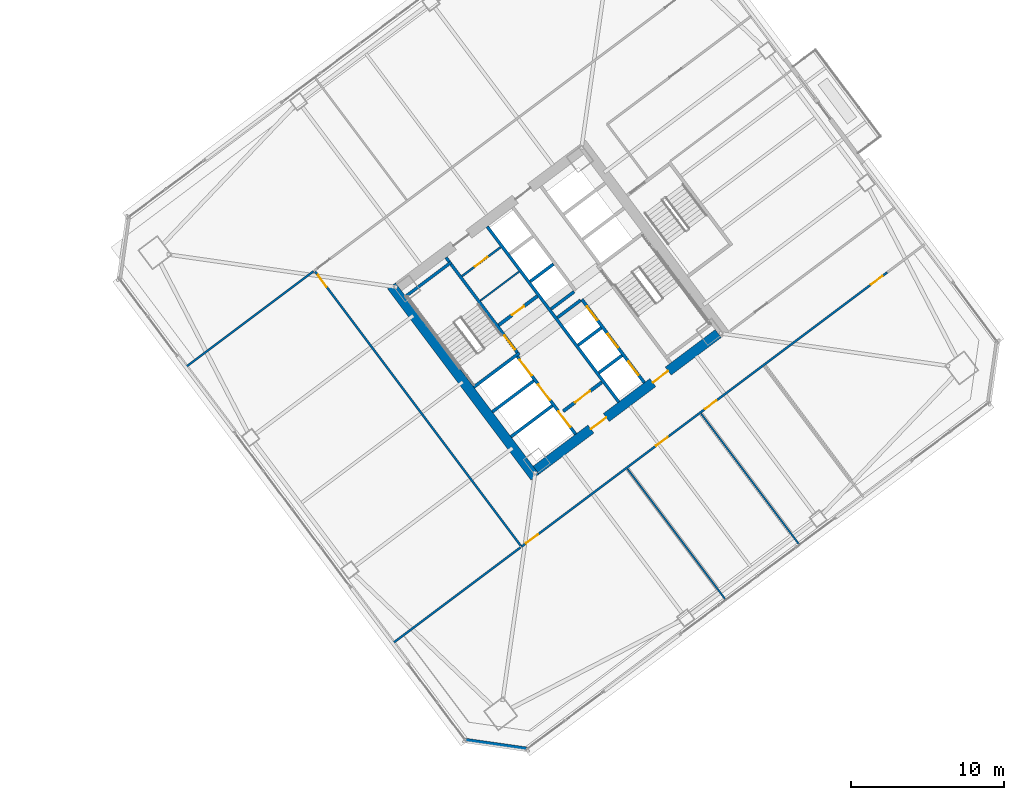
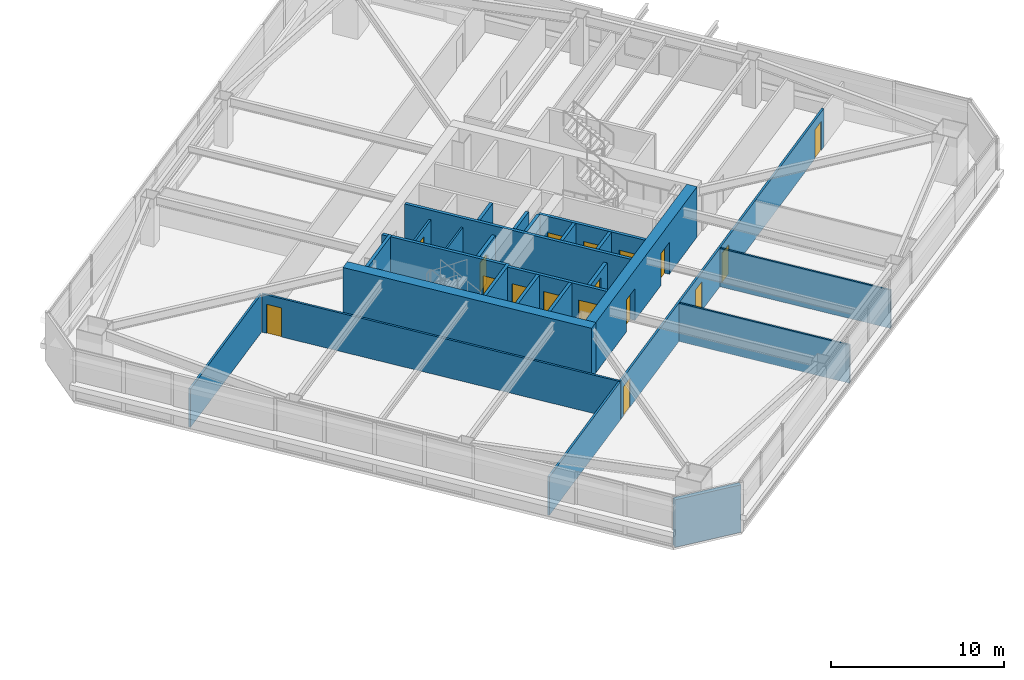
# One storey, part 37 of 47: 26 walls, 17 doors, 17 openings.
"""IFC4 building model written with IfcOpenShell, lengths in metres."""

from ifc_helpers import new_model, si_unit, direction, frame, frame_2d, origin, place, context, subcontext, project, spatial, rectangle, extrude, material, layer, layer_set, type_object, element, fill, save


model = new_model("IFC4")

# Units and contexts
model_context = context("Model", 3, precision=1e-05, world=origin(), true_north=direction((0.0, 1.0)))
body_context = subcontext(model_context, "Body", "Model", "MODEL_VIEW")
ifc_project = project(units=[si_unit("LENGTHUNIT", "METRE"), si_unit("AREAUNIT", "SQUARE_METRE"), si_unit("VOLUMEUNIT", "CUBIC_METRE"), si_unit("PLANEANGLEUNIT", "RADIAN"), si_unit("MASSUNIT", "GRAM", prefix="KILO")], contexts=[model_context])

# Site, building, storey
site_placement = place(None, origin())
site = spatial("IfcSite", under=ifc_project, at=site_placement, CompositionType="ELEMENT")
building_placement = place(site_placement, origin())
building = spatial("IfcBuilding", under=site, at=building_placement, Name="Tashvorn Skyway Center", CompositionType="ELEMENT")
storey_placement = place(building_placement, frame((0.0, 0.0, 42.35009765625)))
storey = spatial("IfcBuildingStorey", under=building, at=storey_placement, Name="L10", CompositionType="ELEMENT", Elevation=42.35009765625)

# Wall
ifc_material_1 = material(Name="Concrete C60/75", Category="concrete")
ifc_layer_1 = layer(ifc_material_1, 0.64990234375)
ifc_layer_set_1 = layer_set([ifc_layer_1], Name="Concrete C60/75")
wall_type_1 = type_object("IfcWallType", Name="WALL-CORE-650", PredefinedType="SHEAR", material=ifc_layer_set_1)
wall_1_placement = place(storey_placement, frame((112.47607421875, 21.10693359375, 0.0), z_axis=(0.0, 0.0, 1.0), x_axis=(-0.600005007985, 0.799996243986, 0.0)))
element("IfcWall", 1, at=wall_1_placement, inside=storey, type_object=wall_type_1, Name="Tower 2 L10 West Core Shear Wall", PredefinedType="SHEAR", context=body_context, shape_type="SweptSolid", body=[
    extrude(rectangle(XDim=15.60009765625, YDim=0.64990234375, at=frame_2d((7.800048828125, 0.0))), origin(), (0.0, 0.0, 1.0), 3.5498046875),
])

# Wall, openings, doors
wall_2_placement = place(storey_placement, frame((124.428955078125, 30.47802734375, 0.0), z_axis=(0.0, 0.0, 1.0), x_axis=(-0.799998028465, -0.600002628705, 0.0)))
wall_2 = element("IfcWall", 2, at=wall_2_placement, inside=storey, type_object=wall_type_1, Name="Tower 2 L10 South Core Shear Wall", PredefinedType="SHEAR", context=body_context, shape_type="SweptSolid", body=[
    extrude(rectangle(XDim=14.85986328125, YDim=0.64990234375, at=frame_2d((7.429931640625, 0.0))), origin(), (0.0, 0.0, 1.0), 3.5498046875),
])
opening_1_placement = place(wall_2_placement, frame((9.1298828125, 0.0, 0.0)))
opening_1 = element("IfcOpeningElement", 3, at=opening_1_placement, cuts=wall_2, Name="Opening D-FFL-1250", PredefinedType="OPENING", context=body_context, shape_type="SweptSolid", body=[
    extrude(rectangle(XDim=1.25, YDim=2.25, at=frame_2d((0.625, 1.125))), frame((0.0, 0.3349609375, 0.0), z_axis=(0.0, -1.0, 0.0), x_axis=(1.0, 0.0, 0.0)), (0.0, 0.0, 1.0), 0.669921875),
])
opening_2_placement = place(wall_2_placement, frame((4.080078125, 0.0, 0.0)))
opening_2 = element("IfcOpeningElement", 4, at=opening_2_placement, cuts=wall_2, Name="Opening D-FFL-1250", PredefinedType="OPENING", context=body_context, shape_type="SweptSolid", body=[
    extrude(rectangle(XDim=1.25, YDim=2.25, at=frame_2d((0.625, 1.125))), frame((0.0, 0.3349609375, 0.0), z_axis=(0.0, -1.0, 0.0), x_axis=(1.0, 0.0, 0.0)), (0.0, 0.0, 1.0), 0.669921875),
])
ifc_material_2 = material(Name="Hollow galvanized steel fire door assembly", Category="steel")
door_type_1 = type_object("IfcDoorType", Name="DOOR-FFL-1250", OperationType="NOTDEFINED", PredefinedType="DOOR", material=ifc_material_2)
door_1_placement = place(opening_1_placement, origin())
door_1 = element("IfcDoor", 5, at=door_1_placement, inside=storey, type_object=door_type_1, Name="Tower 2 L10 Core South Firefighting Exit Door", OperationType="SINGLE_SWING_LEFT", OverallHeight=2.25, OverallWidth=1.25, PredefinedType="DOOR", context=body_context, shape_type="SweptSolid", body=[
    extrude(rectangle(XDim=1.25, YDim=2.25, at=frame_2d((0.625, 1.125))), frame((0.0, 0.02490234375, 0.0), z_axis=(0.0, -1.0, 0.0), x_axis=(1.0, 0.0, 0.0)), (0.0, 0.0, 1.0), 0.050048828125),
])
fill(opening_1, door_1)
door_2_placement = place(opening_2_placement, origin())
door_2 = element("IfcDoor", 6, at=door_2_placement, inside=storey, type_object=door_type_1, Name="Tower 2 L10 Core South Lift Lobby Door", OperationType="SINGLE_SWING_RIGHT", OverallHeight=2.25, OverallWidth=1.25, PredefinedType="DOOR", context=body_context, shape_type="SweptSolid", body=[
    extrude(rectangle(XDim=1.25, YDim=2.25, at=frame_2d((0.625, 1.125))), frame((0.0, 0.02490234375, 0.0), z_axis=(0.0, -1.0, 0.0), x_axis=(1.0, 0.0, 0.0)), (0.0, 0.0, 1.0), 0.050048828125),
])
fill(opening_2, door_2)

# Wall
ifc_material_3 = material(Name="Precast concrete C40/50", Category="concrete")
ifc_layer_2 = layer(ifc_material_3, 0.280029296875)
ifc_layer_set_2 = layer_set([ifc_layer_2], Name="Precast concrete C40/50")
wall_type_2 = type_object("IfcWallType", Name="WALL-EXT-280", PredefinedType="SOLIDWALL", material=ifc_layer_set_2)
wall_3_placement = place(storey_placement, frame((111.97998046875, 3.360107421875, 0.0), z_axis=(0.0, 0.0, 1.0), x_axis=(-0.989955445613, 0.14137968631, 0.0)))
element("IfcWall", 7, at=wall_3_placement, inside=storey, type_object=wall_type_2, Name="Tower 2 L10 SW Precast Chamfer Wall", PredefinedType="SOLIDWALL", context=body_context, shape_type="SweptSolid", body=[
    extrude(rectangle(XDim=4.101318359375, YDim=0.280029296875, at=frame_2d((2.05078125, 0.0))), origin(), (0.0, 0.0, 1.0), 3.349853515625),
])

# Wall, opening, door
ifc_material_4 = material(Name="Concrete C40/50", Category="concrete")
ifc_layer_3 = layer(ifc_material_4, 0.219970703125)
ifc_layer_set_3 = layer_set([ifc_layer_3], Name="Concrete C40/50")
wall_type_3 = type_object("IfcWallType", Name="WALL-FFL-220", PredefinedType="SOLIDWALL", material=ifc_layer_set_3)
wall_4_placement = place(storey_placement, frame((110.10400390625, 31.028076171875, 0.0), z_axis=(0.0, 0.0, 1.0), x_axis=(0.800018601094, 0.59997519774, 0.0)))
wall_4 = element("IfcWall", 8, at=wall_4_placement, inside=storey, type_object=wall_type_3, Name="Tower 2 L10 Firefighting Lobby North Wall", PredefinedType="SOLIDWALL", context=body_context, shape_type="SweptSolid", body=[
    extrude(rectangle(XDim=3.14990234375, YDim=0.219970703125, at=frame_2d((1.574951171875, 0.0))), origin(), (0.0, 0.0, 1.0), 2.702880859375),
])
opening_3_placement = place(wall_4_placement, frame((1.10009765625, 0.0, 0.0)))
opening_3 = element("IfcOpeningElement", 9, at=opening_3_placement, cuts=wall_4, Name="Opening D-RT-950", PredefinedType="OPENING", context=body_context, shape_type="SweptSolid", body=[
    extrude(rectangle(XDim=0.949951171875, YDim=2.050048828125, at=frame_2d((0.47509765625, 1.02490234375))), frame((0.0, 0.119873046875, 0.0), z_axis=(0.0, -1.0, 0.0), x_axis=(1.0, 0.0, 0.0)), (0.0, 0.0, 1.0), 0.239990234375),
])
door_type_2 = type_object("IfcDoorType", Name="DOOR-RATED-950", OperationType="NOTDEFINED", PredefinedType="DOOR", material=ifc_material_2)
door_3_placement = place(opening_3_placement, origin())
door_3 = element("IfcDoor", 10, at=door_3_placement, inside=storey, type_object=door_type_2, Name="Tower 2 L10 Core Linen Store Door", OperationType="SINGLE_SWING_LEFT", OverallHeight=2.050048828125, OverallWidth=0.949951171875, PredefinedType="DOOR", context=body_context, shape_type="SweptSolid", body=[
    extrude(rectangle(XDim=0.949951171875, YDim=2.050048828125, at=frame_2d((0.47509765625, 1.02490234375))), frame((0.0, 0.02490234375, 0.0), z_axis=(0.0, -1.0, 0.0), x_axis=(1.0, 0.0, 0.0)), (0.0, 0.0, 1.0), 0.050048828125),
])
fill(opening_3, door_3)

wall_5_placement = place(storey_placement, frame((114.31591796875, 25.412109375, 0.0), z_axis=(0.0, 0.0, 1.0), x_axis=(0.800018601094, 0.59997519774, 0.0)))
wall_5 = element("IfcWall", 11, at=wall_5_placement, inside=storey, type_object=wall_type_3, Name="Tower 2 L10 Firefighting Lobby South Wall", PredefinedType="SOLIDWALL", context=body_context, shape_type="SweptSolid", body=[
    extrude(rectangle(XDim=3.14990234375, YDim=0.219970703125, at=frame_2d((1.574951171875, 0.0))), origin(), (0.0, 0.0, 1.0), 2.702880859375),
])
opening_4_placement = place(wall_5_placement, frame((0.949951171875, 0.0, 0.0)))
opening_4 = element("IfcOpeningElement", 12, at=opening_4_placement, cuts=wall_5, Name="Opening D-FFL-1250", PredefinedType="OPENING", context=body_context, shape_type="SweptSolid", body=[
    extrude(rectangle(XDim=1.25, YDim=2.25, at=frame_2d((0.625, 1.125))), frame((0.0, 0.119873046875, 0.0), z_axis=(0.0, -1.0, 0.0), x_axis=(1.0, 0.0, 0.0)), (0.0, 0.0, 1.0), 0.239990234375),
])
door_4_placement = place(opening_4_placement, origin())
door_4 = element("IfcDoor", 13, at=door_4_placement, inside=storey, type_object=door_type_1, Name="Tower 2 L10 Firefighting Lobby Egress Door", OperationType="SINGLE_SWING_LEFT", OverallHeight=2.25, OverallWidth=1.25, PredefinedType="DOOR", context=body_context, shape_type="SweptSolid", body=[
    extrude(rectangle(XDim=1.25, YDim=2.25, at=frame_2d((0.625, 1.125))), frame((0.0, 0.02490234375, 0.0), z_axis=(0.0, -1.0, 0.0), x_axis=(1.0, 0.0, 0.0)), (0.0, 0.0, 1.0), 0.050048828125),
])
fill(opening_4, door_4)

# Walls
ifc_material_5 = material(Name="Gypsum board on cold-formed steel stud framing", Category="steel")
ifc_layer_4 = layer(ifc_material_5, 0.110107421875)
ifc_layer_set_4 = layer_set([ifc_layer_4], Name="Gypsum board on cold-formed steel stud framing")
wall_type_4 = type_object("IfcWallType", Name="WALL-PART-110", PredefinedType="PARTITIONING", material=ifc_layer_set_4)
for number, where, z_axis, x_axis, name in (
    (14, (124.927978515625, 13.095947265625, 0.0), (0.0, 0.0, 1.0), (-0.599992698573, 0.800005476018, 0.0), "Tower 2 L10 South Suite Partition 1"),
    (15, (129.72802734375, 16.696044921875, 0.0), (0.0, 0.0, 1.0), (-0.599992698573, 0.800005476018, 0.0), "Tower 2 L10 South Suite Partition 2"),
):
    element("IfcWall", number, at=place(storey_placement, frame(where, z_axis=z_axis, x_axis=x_axis)), inside=storey, type_object=wall_type_4, Name=name, PredefinedType="PARTITIONING", context=body_context, shape_type="SweptSolid", body=[
        extrude(rectangle(XDim=10.699951171875, YDim=0.110107421875, at=frame_2d((5.35009765625, 0.0))), origin(), (0.0, 0.0, 1.0), 2.702880859375),
    ])

# Wall, openings, doors
ifc_layer_5 = layer(ifc_material_5, 0.135009765625)
ifc_layer_set_5 = layer_set([ifc_layer_5], Name="Gypsum board on cold-formed steel stud framing")
wall_type_5 = type_object("IfcWallType", Name="WALL-PART-135", PredefinedType="PARTITIONING", material=ifc_layer_set_5)
wall_6_placement = place(storey_placement, frame((135.4599609375, 34.469970703125, 0.0), z_axis=(0.0, 0.0, 1.0), x_axis=(-0.800000982127, -0.599998690494, 0.0)))
wall_6 = element("IfcWall", 16, at=wall_6_placement, inside=storey, type_object=wall_type_5, Name="Tower 2 L10 South Suite Wall", PredefinedType="PARTITIONING", context=body_context, shape_type="SweptSolid", body=[
    extrude(rectangle(XDim=29.830078125, YDim=0.135009765625, at=frame_2d((14.9150390625, 0.0))), origin(), (0.0, 0.0, 1.0), 2.702880859375),
])
opening_5_placement = place(wall_6_placement, frame((28.5, 0.0, 0.0)))
opening_5 = element("IfcOpeningElement", 17, at=opening_5_placement, cuts=wall_6, Name="Opening D-INT-950", PredefinedType="OPENING", context=body_context, shape_type="SweptSolid", body=[
    extrude(rectangle(XDim=0.949951171875, YDim=2.050048828125, at=frame_2d((0.47509765625, 1.02490234375))), frame((0.0, 0.077392578125, 0.0), z_axis=(0.0, -1.0, 0.0), x_axis=(1.0, 0.0, 0.0)), (0.0, 0.0, 1.0), 0.155029296875),
])
opening_6_placement = place(wall_6_placement, frame((17.901123046875, 0.0, 0.0)))
opening_6 = element("IfcOpeningElement", 18, at=opening_6_placement, cuts=wall_6, Name="Opening D-INT-950", PredefinedType="OPENING", context=body_context, shape_type="SweptSolid", body=[
    extrude(rectangle(XDim=0.949951171875, YDim=2.050048828125, at=frame_2d((0.47509765625, 1.02490234375))), frame((0.0, 0.077392578125, 0.0), z_axis=(0.0, -1.0, 0.0), x_axis=(1.0, 0.0, 0.0)), (0.0, 0.0, 1.0), 0.155029296875),
])
opening_7_placement = place(wall_6_placement, frame((13.919921875, 0.0, 0.0)))
opening_7 = element("IfcOpeningElement", 19, at=opening_7_placement, cuts=wall_6, Name="Opening D-INT-950", PredefinedType="OPENING", context=body_context, shape_type="SweptSolid", body=[
    extrude(rectangle(XDim=0.949951171875, YDim=2.050048828125, at=frame_2d((0.47509765625, 1.02490234375))), frame((0.0, 0.077392578125, 0.0), z_axis=(0.0, -1.0, 0.0), x_axis=(1.0, 0.0, 0.0)), (0.0, 0.0, 1.0), 0.155029296875),
])
opening_8_placement = place(wall_6_placement, frame((0.3798828125, 0.0, 0.0)))
opening_8 = element("IfcOpeningElement", 20, at=opening_8_placement, cuts=wall_6, Name="Opening D-INT-950", PredefinedType="OPENING", context=body_context, shape_type="SweptSolid", body=[
    extrude(rectangle(XDim=0.949951171875, YDim=2.050048828125, at=frame_2d((0.47509765625, 1.02490234375))), frame((0.0, 0.077392578125, 0.0), z_axis=(0.0, -1.0, 0.0), x_axis=(1.0, 0.0, 0.0)), (0.0, 0.0, 1.0), 0.155029296875),
])
ifc_material_6 = material(Name="Solid-core architectural oak veneer door")
door_type_3 = type_object("IfcDoorType", Name="DOOR-INT-950", OperationType="NOTDEFINED", PredefinedType="DOOR", material=ifc_material_6)
door_5_placement = place(opening_5_placement, origin())
door_5 = element("IfcDoor", 21, at=door_5_placement, inside=storey, type_object=door_type_3, Name="Tower 2 L10 Executive Study Lounge Door", OperationType="SINGLE_SWING_RIGHT", OverallHeight=2.050048828125, OverallWidth=0.949951171875, PredefinedType="DOOR", context=body_context, shape_type="SweptSolid", body=[
    extrude(rectangle(XDim=0.949951171875, YDim=2.050048828125, at=frame_2d((0.47509765625, 1.02490234375))), frame((0.0, 0.02490234375, 0.0), z_axis=(0.0, -1.0, 0.0), x_axis=(1.0, 0.0, 0.0)), (0.0, 0.0, 1.0), 0.050048828125),
])
fill(opening_5, door_5)
door_6_placement = place(opening_6_placement, origin())
door_6 = element("IfcDoor", 22, at=door_6_placement, inside=storey, type_object=door_type_3, Name="Tower 2 L10 Collaborative Studio Door", OperationType="SINGLE_SWING_LEFT", OverallHeight=2.050048828125, OverallWidth=0.949951171875, PredefinedType="DOOR", context=body_context, shape_type="SweptSolid", body=[
    extrude(rectangle(XDim=0.949951171875, YDim=2.050048828125, at=frame_2d((0.47509765625, 1.02490234375))), frame((0.0, 0.02490234375, 0.0), z_axis=(0.0, -1.0, 0.0), x_axis=(1.0, 0.0, 0.0)), (0.0, 0.0, 1.0), 0.050048828125),
])
fill(opening_6, door_6)
door_7_placement = place(opening_7_placement, origin())
door_7 = element("IfcDoor", 23, at=door_7_placement, inside=storey, type_object=door_type_3, Name="Tower 2 L10 Collaborative Studio Door", OperationType="SINGLE_SWING_RIGHT", OverallHeight=2.050048828125, OverallWidth=0.949951171875, PredefinedType="DOOR", context=body_context, shape_type="SweptSolid", body=[
    extrude(rectangle(XDim=0.949951171875, YDim=2.050048828125, at=frame_2d((0.47509765625, 1.02490234375))), frame((0.0, 0.02490234375, 0.0), z_axis=(0.0, -1.0, 0.0), x_axis=(1.0, 0.0, 0.0)), (0.0, 0.0, 1.0), 0.050048828125),
])
fill(opening_7, door_7)
door_8_placement = place(opening_8_placement, origin())
door_8 = element("IfcDoor", 24, at=door_8_placement, inside=storey, type_object=door_type_3, Name="Tower 2 L10 Reading Lounge Door", OperationType="SINGLE_SWING_LEFT", OverallHeight=2.050048828125, OverallWidth=0.949951171875, PredefinedType="DOOR", context=body_context, shape_type="SweptSolid", body=[
    extrude(rectangle(XDim=0.949951171875, YDim=2.050048828125, at=frame_2d((0.47509765625, 1.02490234375))), frame((0.0, 0.02490234375, 0.0), z_axis=(0.0, -1.0, 0.0), x_axis=(1.0, 0.0, 0.0)), (0.0, 0.0, 1.0), 0.050048828125),
])
fill(opening_8, door_8)

# Wall, opening, door
wall_7_placement = place(storey_placement, frame((111.548095703125, 16.635986328125, 0.0), z_axis=(0.0, 0.0, 1.0), x_axis=(-0.600001746983, 0.79999868976, 0.0)))
wall_7 = element("IfcWall", 25, at=wall_7_placement, inside=storey, type_object=wall_type_5, Name="Tower 2 L10 West Inner Suite Wall", PredefinedType="PARTITIONING", context=body_context, shape_type="SweptSolid", body=[
    extrude(rectangle(XDim=22.35986328125, YDim=0.135009765625, at=frame_2d((11.179931640625, 0.0))), origin(), (0.0, 0.0, 1.0), 2.702880859375),
])
opening_9_placement = place(wall_7_placement, frame((21.110107421875, 0.0, 0.0)))
opening_9 = element("IfcOpeningElement", 26, at=opening_9_placement, cuts=wall_7, Name="Opening D-INT-950", PredefinedType="OPENING", context=body_context, shape_type="SweptSolid", body=[
    extrude(rectangle(XDim=0.949951171875, YDim=2.050048828125, at=frame_2d((0.47509765625, 1.02490234375))), frame((0.0, 0.077392578125, 0.0), z_axis=(0.0, -1.0, 0.0), x_axis=(1.0, 0.0, 0.0)), (0.0, 0.0, 1.0), 0.155029296875),
])
door_9_placement = place(opening_9_placement, origin())
door_9 = element("IfcDoor", 27, at=door_9_placement, inside=storey, type_object=door_type_3, Name="Tower 2 L10 Reading Lounge Door", OperationType="SINGLE_SWING_RIGHT", OverallHeight=2.050048828125, OverallWidth=0.949951171875, PredefinedType="DOOR", context=body_context, shape_type="SweptSolid", body=[
    extrude(rectangle(XDim=0.949951171875, YDim=2.050048828125, at=frame_2d((0.47509765625, 1.02490234375))), frame((0.0, 0.02490234375, 0.0), z_axis=(0.0, -1.0, 0.0), x_axis=(1.0, 0.0, 0.0)), (0.0, 0.0, 1.0), 0.050048828125),
])
fill(opening_9, door_9)

# Walls
for number, where, z_axis, x_axis, name in (
    (28, (98.02001953125, 34.5400390625, 0.0), (0.0, 0.0, 1.0), (-0.8, -0.6, 0.0), "Tower 2 L10 West Suite North Wall"),
    (29, (103.196044921875, 10.27197265625, 0.0), (0.0, 0.0, 1.0), (0.8, 0.6, 0.0), "Tower 2 L10 West Suite South Wall"),
):
    element("IfcWall", number, at=place(storey_placement, frame(where, z_axis=z_axis, x_axis=x_axis)), inside=storey, type_object=wall_type_5, Name=name, PredefinedType="PARTITIONING", context=body_context, shape_type="SweptSolid", body=[
        extrude(rectangle(XDim=10.419921875, YDim=0.135009765625, at=frame_2d((5.2099609375, 0.0))), origin(), (0.0, 0.0, 1.0), 2.702880859375),
    ])
ifc_layer_6 = layer(ifc_material_5, 0.110107421875)
ifc_layer_set_6 = layer_set([ifc_layer_6], Name="Gypsum board on cold-formed steel stud framing")
wall_type_6 = type_object("IfcWallType", Name="WALL-RATED-110", PredefinedType="PARTITIONING", material=ifc_layer_set_6)
wall_8_placement = place(storey_placement, frame((108.909912109375, 32.6201171875, 0.0), z_axis=(0.0, 0.0, 1.0), x_axis=(0.800018601094, 0.59997519774, 0.0)))
element("IfcWall", 30, at=wall_8_placement, inside=storey, type_object=wall_type_6, Name="Tower 2 L10 Core Transverse Wall", PredefinedType="PARTITIONING", context=body_context, shape_type="SweptSolid", body=[
    extrude(rectangle(XDim=3.14990234375, YDim=0.110107421875, at=frame_2d((1.574951171875, 0.0))), origin(), (0.0, 0.0, 1.0), 2.702880859375),
])

# Wall, opening, door
ifc_layer_7 = layer(ifc_material_5, 0.135009765625)
ifc_layer_set_7 = layer_set([ifc_layer_7], Name="Gypsum board on cold-formed steel stud framing")
wall_type_7 = type_object("IfcWallType", Name="WALL-RATED-135", PredefinedType="PARTITIONING", material=ifc_layer_set_7)
wall_9_placement = place(storey_placement, frame((107.7099609375, 34.219970703125, 0.0), z_axis=(0.0, 0.0, 1.0), x_axis=(0.799981399002, 0.60002480053, 0.0)))
wall_9 = element("IfcWall", 31, at=wall_9_placement, inside=storey, type_object=wall_type_7, Name="Tower 2 L10 Core Service Lobby Wall", PredefinedType="PARTITIONING", context=body_context, shape_type="SweptSolid", body=[
    extrude(rectangle(XDim=3.150146484375, YDim=0.135009765625, at=frame_2d((1.5751953125, 0.0))), origin(), (0.0, 0.0, 1.0), 2.702880859375),
])
opening_10_placement = place(wall_9_placement, frame((1.050048828125, 0.0, 0.0)))
opening_10 = element("IfcOpeningElement", 32, at=opening_10_placement, cuts=wall_9, Name="Opening D-RT-1050", PredefinedType="OPENING", context=body_context, shape_type="SweptSolid", body=[
    extrude(rectangle(XDim=1.050048828125, YDim=2.199951171875, at=frame_2d((0.52490234375, 1.10009765625))), frame((0.0, 0.077392578125, 0.0), z_axis=(0.0, -1.0, 0.0), x_axis=(1.0, 0.0, 0.0)), (0.0, 0.0, 1.0), 0.155029296875),
])
door_type_4 = type_object("IfcDoorType", Name="DOOR-RATED-1050", OperationType="NOTDEFINED", PredefinedType="DOOR", material=ifc_material_2)
door_10_placement = place(opening_10_placement, origin())
door_10 = element("IfcDoor", 33, at=door_10_placement, inside=storey, type_object=door_type_4, Name="Tower 2 L10 Core Accessible WC Door", OperationType="SINGLE_SWING_RIGHT", OverallHeight=2.199951171875, OverallWidth=1.050048828125, PredefinedType="DOOR", context=body_context, shape_type="SweptSolid", body=[
    extrude(rectangle(XDim=1.050048828125, YDim=2.199951171875, at=frame_2d((0.52490234375, 1.10009765625))), frame((0.0, 0.02490234375, 0.0), z_axis=(0.0, -1.0, 0.0), x_axis=(1.0, 0.0, 0.0)), (0.0, 0.0, 1.0), 0.050048828125),
])
fill(opening_10, door_10)

# Walls
ifc_layer_8 = layer(ifc_material_4, 0.199951171875)
ifc_layer_set_8 = layer_set([ifc_layer_8], Name="Concrete C40/50")
wall_type_8 = type_object("IfcWallType", Name="WALL-SHAFT-200", PredefinedType="SOLIDWALL", material=ifc_layer_set_8)
for number, where, z_axis, x_axis, name in (
    (34, (110.906005859375, 23.741943359375, 0.0), (0.0, 0.0, 1.0), (0.8, 0.6, 0.0), "Tower 2 L10 FSAE Shaft Divider"),
    (35, (109.68798828125, 25.365966796875, 0.0), (0.0, 0.0, 1.0), (0.8, 0.6, 0.0), "Tower 2 L10 FSAE Shaft Divider"),
):
    element("IfcWall", number, at=place(storey_placement, frame(where, z_axis=z_axis, x_axis=x_axis)), inside=storey, type_object=wall_type_8, Name=name, PredefinedType="SOLIDWALL", context=body_context, shape_type="SweptSolid", body=[
        extrude(rectangle(XDim=3.380126953125, YDim=0.199951171875, at=frame_2d((1.68994140625, 0.0))), origin(), (0.0, 0.0, 1.0), 3.349853515625),
    ])

# Wall, openings, doors
wall_10_placement = place(storey_placement, frame((119.610107421875, 27.27001953125, 0.0), z_axis=(0.0, 0.0, 1.0), x_axis=(-0.600011488909, 0.79999138319, 0.0)))
wall_10 = element("IfcWall", 36, at=wall_10_placement, inside=storey, type_object=wall_type_8, Name="Tower 2 L10 Low-Rise Core Wall", PredefinedType="SOLIDWALL", context=body_context, shape_type="SweptSolid", body=[
    extrude(rectangle(XDim=6.800048828125, YDim=0.199951171875, at=frame_2d((3.39990234375, 0.0))), origin(), (0.0, 0.0, 1.0), 3.349853515625),
])
opening_11_placement = place(wall_10_placement, frame((0.625, 0.0, 0.0)))
opening_11 = element("IfcOpeningElement", 37, at=opening_11_placement, cuts=wall_10, Name="Opening LD-LR-T2-1-L10", PredefinedType="OPENING", context=body_context, shape_type="SweptSolid", body=[
    extrude(rectangle(XDim=1.10009765625, YDim=2.199951171875, at=frame_2d((0.550048828125, 1.10009765625))), frame((0.0, 0.10986328125, 0.0), z_axis=(0.0, -1.0, 0.0), x_axis=(1.0, 0.0, 0.0)), (0.0, 0.0, 1.0), 0.219970703125),
])
opening_12_placement = place(wall_10_placement, frame((2.875, 0.0, 0.0)))
opening_12 = element("IfcOpeningElement", 38, at=opening_12_placement, cuts=wall_10, Name="Opening LD-LR-T2-2-L10", PredefinedType="OPENING", context=body_context, shape_type="SweptSolid", body=[
    extrude(rectangle(XDim=1.10009765625, YDim=2.199951171875, at=frame_2d((0.550048828125, 1.10009765625))), frame((0.0, 0.10986328125, 0.0), z_axis=(0.0, -1.0, 0.0), x_axis=(1.0, 0.0, 0.0)), (0.0, 0.0, 1.0), 0.219970703125),
])
opening_13_placement = place(wall_10_placement, frame((5.125, 0.0, 0.0)))
opening_13 = element("IfcOpeningElement", 39, at=opening_13_placement, cuts=wall_10, Name="Opening LD-LR-T2-3-L10", PredefinedType="OPENING", context=body_context, shape_type="SweptSolid", body=[
    extrude(rectangle(XDim=1.10009765625, YDim=2.199951171875, at=frame_2d((0.550048828125, 1.10009765625))), frame((0.0, 0.10986328125, 0.0), z_axis=(0.0, -1.0, 0.0), x_axis=(1.0, 0.0, 0.0)), (0.0, 0.0, 1.0), 0.219970703125),
])
ifc_material_7 = material(Name="Stainless steel landing door", Category="steel")
door_type_5 = type_object("IfcDoorType", Name="DOOR-LIFT-1100", OperationType="SLIDING_TO_LEFT", PredefinedType="DOOR", material=ifc_material_7)
door_11_placement = place(opening_11_placement, origin())
door_11 = element("IfcDoor", 40, at=door_11_placement, inside=storey, type_object=door_type_5, Name="Lift LR-T2-1 L10 Landing Door", OperationType="SLIDING_TO_LEFT", OverallHeight=2.199951171875, OverallWidth=1.10009765625, PredefinedType="DOOR", context=body_context, shape_type="SweptSolid", body=[
    extrude(rectangle(XDim=1.10009765625, YDim=2.199951171875, at=frame_2d((0.550048828125, 1.10009765625))), frame((0.0, 0.02490234375, 0.0), z_axis=(0.0, -1.0, 0.0), x_axis=(1.0, 0.0, 0.0)), (0.0, 0.0, 1.0), 0.050048828125),
])
fill(opening_11, door_11)
door_12_placement = place(opening_12_placement, origin())
door_12 = element("IfcDoor", 41, at=door_12_placement, inside=storey, type_object=door_type_5, Name="Lift LR-T2-2 L10 Landing Door", OperationType="SLIDING_TO_LEFT", OverallHeight=2.199951171875, OverallWidth=1.10009765625, PredefinedType="DOOR", context=body_context, shape_type="SweptSolid", body=[
    extrude(rectangle(XDim=1.10009765625, YDim=2.199951171875, at=frame_2d((0.550048828125, 1.10009765625))), frame((0.0, 0.02490234375, 0.0), z_axis=(0.0, -1.0, 0.0), x_axis=(1.0, 0.0, 0.0)), (0.0, 0.0, 1.0), 0.050048828125),
])
fill(opening_12, door_12)
door_13_placement = place(opening_13_placement, origin())
door_13 = element("IfcDoor", 42, at=door_13_placement, inside=storey, type_object=door_type_5, Name="Lift LR-T2-3 L10 Landing Door", OperationType="SLIDING_TO_LEFT", OverallHeight=2.199951171875, OverallWidth=1.10009765625, PredefinedType="DOOR", context=body_context, shape_type="SweptSolid", body=[
    extrude(rectangle(XDim=1.10009765625, YDim=2.199951171875, at=frame_2d((0.550048828125, 1.10009765625))), frame((0.0, 0.02490234375, 0.0), z_axis=(0.0, -1.0, 0.0), x_axis=(1.0, 0.0, 0.0)), (0.0, 0.0, 1.0), 0.050048828125),
])
fill(opening_13, door_13)

# Walls
wall_11_placement = place(storey_placement, frame((116.64599609375, 27.922119140625, 0.0), z_axis=(0.0, 0.0, 1.0), x_axis=(0.8, 0.6, 0.0)))
element("IfcWall", 43, at=wall_11_placement, inside=storey, type_object=wall_type_8, Name="Tower 2 L10 Low-Rise Shaft Divider", PredefinedType="SOLIDWALL", context=body_context, shape_type="SweptSolid", body=[
    extrude(rectangle(XDim=1.8798828125, YDim=0.199951171875, at=frame_2d((0.93994140625, 0.0))), origin(), (0.0, 0.0, 1.0), 3.349853515625),
])
wall_12_placement = place(storey_placement, frame((115.2958984375, 29.721923828125, 0.0), z_axis=(0.0, 0.0, 1.0), x_axis=(0.799984418148, 0.600020775241, 0.0)))
element("IfcWall", 44, at=wall_12_placement, inside=storey, type_object=wall_type_8, Name="Tower 2 L10 Low-Rise Shaft Divider", PredefinedType="SOLIDWALL", context=body_context, shape_type="SweptSolid", body=[
    extrude(rectangle(XDim=1.880126953125, YDim=0.199951171875, at=frame_2d((0.93994140625, 0.0))), origin(), (0.0, 0.0, 1.0), 3.349853515625),
])
wall_13_placement = place(storey_placement, frame((113.946044921875, 31.52197265625, 0.0), z_axis=(0.0, 0.0, 1.0), x_axis=(0.8, 0.6, 0.0)))
element("IfcWall", 45, at=wall_13_placement, inside=storey, type_object=wall_type_8, Name="Tower 2 L10 Low-Rise Shaft Divider", PredefinedType="SOLIDWALL", context=body_context, shape_type="SweptSolid", body=[
    extrude(rectangle(XDim=1.8798828125, YDim=0.199951171875, at=frame_2d((0.93994140625, 0.0))), origin(), (0.0, 0.0, 1.0), 3.349853515625),
])
wall_14_placement = place(storey_placement, frame((113.52587890625, 32.08203125, 0.0), z_axis=(0.0, 0.0, 1.0), x_axis=(0.800046745961, 0.599937666993, 0.0)))
element("IfcWall", 46, at=wall_14_placement, inside=storey, type_object=wall_type_8, Name="Tower 2 L10 Mid-Rise Shaft Divider", PredefinedType="SOLIDWALL", context=body_context, shape_type="SweptSolid", body=[
    extrude(rectangle(XDim=1.880126953125, YDim=0.199951171875, at=frame_2d((0.93994140625, 0.0))), origin(), (0.0, 0.0, 1.0), 3.349853515625),
])
wall_15_placement = place(storey_placement, frame((112.176025390625, 33.882080078125, 0.0), z_axis=(0.0, 0.0, 1.0), x_axis=(0.8, 0.6, 0.0)))
element("IfcWall", 47, at=wall_15_placement, inside=storey, type_object=wall_type_8, Name="Tower 2 L10 Mid-Rise Shaft Divider", PredefinedType="SOLIDWALL", context=body_context, shape_type="SweptSolid", body=[
    extrude(rectangle(XDim=1.8798828125, YDim=0.199951171875, at=frame_2d((0.93994140625, 0.0))), origin(), (0.0, 0.0, 1.0), 3.349853515625),
])

# Wall, opening, door
ifc_layer_9 = layer(ifc_material_4, 0.199951171875)
ifc_layer_set_9 = layer_set([ifc_layer_9], Name="Concrete C40/50")
wall_type_9 = type_object("IfcWallType", Name="WALL-STSHF-200", PredefinedType="SHEAR", material=ifc_layer_set_9)
wall_16_placement = place(storey_placement, frame((111.43994140625, 29.080078125, 0.0), z_axis=(0.0, 0.0, 1.0), x_axis=(-0.600009827119, 0.799992629566, 0.0)))
wall_16 = element("IfcWall", 48, at=wall_16_placement, inside=storey, type_object=wall_type_9, Name="Tower 2 L10 Stair 1 Enclosure Wall", PredefinedType="SHEAR", context=body_context, shape_type="SweptSolid", body=[
    extrude(rectangle(XDim=7.949951171875, YDim=0.199951171875, at=frame_2d((3.97509765625, 0.0))), origin(), (0.0, 0.0, 1.0), 3.349853515625),
])
opening_14_placement = place(wall_16_placement, frame((0.449951171875, 0.0, 0.0)))
opening_14 = element("IfcOpeningElement", 49, at=opening_14_placement, cuts=wall_16, Name="Opening D-ST-1150", PredefinedType="OPENING", context=body_context, shape_type="SweptSolid", body=[
    extrude(rectangle(XDim=1.14990234375, YDim=2.199951171875, at=frame_2d((0.574951171875, 1.10009765625))), frame((0.0, 0.10986328125, 0.0), z_axis=(0.0, -1.0, 0.0), x_axis=(1.0, 0.0, 0.0)), (0.0, 0.0, 1.0), 0.219970703125),
])
door_type_6 = type_object("IfcDoorType", Name="DOOR-STAIR-1150", OperationType="NOTDEFINED", PredefinedType="DOOR", material=ifc_material_2)
door_14_placement = place(opening_14_placement, origin())
door_14 = element("IfcDoor", 50, at=door_14_placement, inside=storey, type_object=door_type_6, Name="Tower 2 L10 Exit Stair 1 Door", OperationType="SINGLE_SWING_RIGHT", OverallHeight=2.199951171875, OverallWidth=1.14990234375, PredefinedType="DOOR", context=body_context, shape_type="SweptSolid", body=[
    extrude(rectangle(XDim=1.14990234375, YDim=2.199951171875, at=frame_2d((0.574951171875, 1.10009765625))), frame((0.0, 0.02490234375, 0.0), z_axis=(0.0, -1.0, 0.0), x_axis=(1.0, 0.0, 0.0)), (0.0, 0.0, 1.0), 0.050048828125),
])
fill(opening_14, door_14)

# Walls
for number, where, z_axis, x_axis, name in (
    (51, (108.47607421875, 26.98193359375, 0.0), (0.0, 0.0, 1.0), (0.799984290658, 0.600020945218, 0.0), "Tower 2 L10 Stair 1 South Wall"),
    (52, (104.035888671875, 32.902099609375, 0.0), (0.0, 0.0, 1.0), (0.800039270442, 0.59994763584, 0.0), "Tower 2 L10 Stair 1 North Wall"),
):
    element("IfcWall", number, at=place(storey_placement, frame(where, z_axis=z_axis, x_axis=x_axis)), inside=storey, type_object=wall_type_9, Name=name, PredefinedType="SHEAR", context=body_context, shape_type="SweptSolid", body=[
        extrude(rectangle(XDim=3.72998046875, YDim=0.199951171875, at=frame_2d((1.864990234375, 0.0))), origin(), (0.0, 0.0, 1.0), 3.349853515625),
    ])
wall_17_placement = place(storey_placement, frame((117.93798828125, 26.01611328125, 0.0), z_axis=(0.0, 0.0, 1.0), x_axis=(-0.600005463273, 0.799995902516, 0.0)))
element("IfcWall", 53, at=wall_17_placement, inside=storey, type_object=wall_type_9, Name="Tower 2 L10 Firefighting Lobby East Smoke Barrier", PredefinedType="SHEAR", context=body_context, shape_type="SweptSolid", body=[
    extrude(rectangle(XDim=14.300048828125, YDim=0.199951171875, at=frame_2d((7.14990234375, 0.0))), origin(), (0.0, 0.0, 1.0), 3.349853515625),
])

# Wall, openings, doors
wall_18_placement = place(storey_placement, frame((115.1298828125, 23.909912109375, 0.0), z_axis=(0.0, 0.0, 1.0), x_axis=(-0.599975393228, 0.800018454488, 0.0)))
wall_18 = element("IfcWall", 54, at=wall_18_placement, inside=storey, type_object=wall_type_9, Name="Tower 2 L10 FSAE and Goods Shaft Front Wall", PredefinedType="SHEAR", context=body_context, shape_type="SweptSolid", body=[
    extrude(rectangle(XDim=6.349853515625, YDim=0.199951171875, at=frame_2d((3.1748046875, 0.0))), origin(), (0.0, 0.0, 1.0), 3.349853515625),
])
opening_15_placement = place(wall_18_placement, frame((4.77490234375, 0.0, 0.0)))
opening_15 = element("IfcOpeningElement", 55, at=opening_15_placement, cuts=wall_18, Name="Opening LD-FF-T2-1-L10", PredefinedType="OPENING", context=body_context, shape_type="SweptSolid", body=[
    extrude(rectangle(XDim=1.300048828125, YDim=2.25, at=frame_2d((0.64990234375, 1.125))), frame((0.0, 0.10986328125, 0.0), z_axis=(0.0, -1.0, 0.0), x_axis=(1.0, 0.0, 0.0)), (0.0, 0.0, 1.0), 0.219970703125),
])
opening_16_placement = place(wall_18_placement, frame((2.77490234375, 0.0, 0.0)))
opening_16 = element("IfcOpeningElement", 56, at=opening_16_placement, cuts=wall_18, Name="Opening LD-FF-T2-2-L10", PredefinedType="OPENING", context=body_context, shape_type="SweptSolid", body=[
    extrude(rectangle(XDim=1.300048828125, YDim=2.25, at=frame_2d((0.64990234375, 1.125))), frame((0.0, 0.10986328125, 0.0), z_axis=(0.0, -1.0, 0.0), x_axis=(1.0, 0.0, 0.0)), (0.0, 0.0, 1.0), 0.219970703125),
])
opening_17_placement = place(wall_18_placement, frame((0.574951171875, 0.0, 0.0)))
opening_17 = element("IfcOpeningElement", 57, at=opening_17_placement, cuts=wall_18, Name="Opening LD-GD-T2-1-L10", PredefinedType="OPENING", context=body_context, shape_type="SweptSolid", body=[
    extrude(rectangle(XDim=1.300048828125, YDim=2.25, at=frame_2d((0.64990234375, 1.125))), frame((0.0, 0.10986328125, 0.0), z_axis=(0.0, -1.0, 0.0), x_axis=(1.0, 0.0, 0.0)), (0.0, 0.0, 1.0), 0.219970703125),
])
ifc_material_8 = material(Name="Stainless steel heavy-duty landing door", Category="steel")
door_type_7 = type_object("IfcDoorType", Name="DOOR-LIFT-1300", OperationType="SLIDING_TO_LEFT", PredefinedType="DOOR", material=ifc_material_8)
door_15_placement = place(opening_15_placement, origin())
door_15 = element("IfcDoor", 58, at=door_15_placement, inside=storey, type_object=door_type_7, Name="Lift FF-T2-1 L10 Landing Door", OperationType="SLIDING_TO_LEFT", OverallHeight=2.25, OverallWidth=1.300048828125, PredefinedType="DOOR", context=body_context, shape_type="SweptSolid", body=[
    extrude(rectangle(XDim=1.300048828125, YDim=2.25, at=frame_2d((0.64990234375, 1.125))), frame((0.0, 0.02490234375, 0.0), z_axis=(0.0, -1.0, 0.0), x_axis=(1.0, 0.0, 0.0)), (0.0, 0.0, 1.0), 0.050048828125),
])
fill(opening_15, door_15)
door_16_placement = place(opening_16_placement, origin())
door_16 = element("IfcDoor", 59, at=door_16_placement, inside=storey, type_object=door_type_7, Name="Lift FF-T2-2 L10 Landing Door", OperationType="SLIDING_TO_LEFT", OverallHeight=2.25, OverallWidth=1.300048828125, PredefinedType="DOOR", context=body_context, shape_type="SweptSolid", body=[
    extrude(rectangle(XDim=1.300048828125, YDim=2.25, at=frame_2d((0.64990234375, 1.125))), frame((0.0, 0.02490234375, 0.0), z_axis=(0.0, -1.0, 0.0), x_axis=(1.0, 0.0, 0.0)), (0.0, 0.0, 1.0), 0.050048828125),
])
fill(opening_16, door_16)
door_17_placement = place(opening_17_placement, origin())
door_17 = element("IfcDoor", 60, at=door_17_placement, inside=storey, type_object=door_type_7, Name="Lift GD-T2-1 L10 Landing Door", OperationType="SLIDING_TO_LEFT", OverallHeight=2.25, OverallWidth=1.300048828125, PredefinedType="DOOR", context=body_context, shape_type="SweptSolid", body=[
    extrude(rectangle(XDim=1.300048828125, YDim=2.25, at=frame_2d((0.64990234375, 1.125))), frame((0.0, 0.02490234375, 0.0), z_axis=(0.0, -1.0, 0.0), x_axis=(1.0, 0.0, 0.0)), (0.0, 0.0, 1.0), 0.050048828125),
])
fill(opening_17, door_17)

save(model, "model.ifc")
